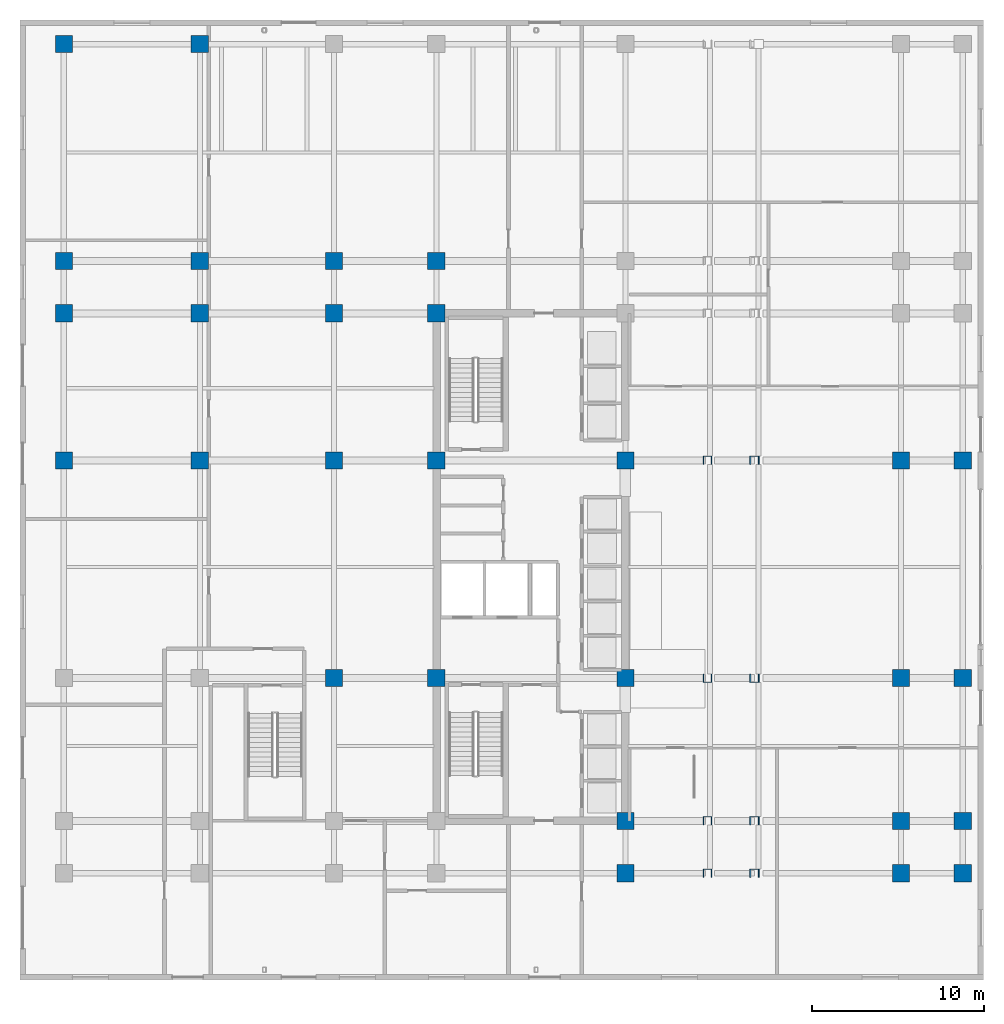
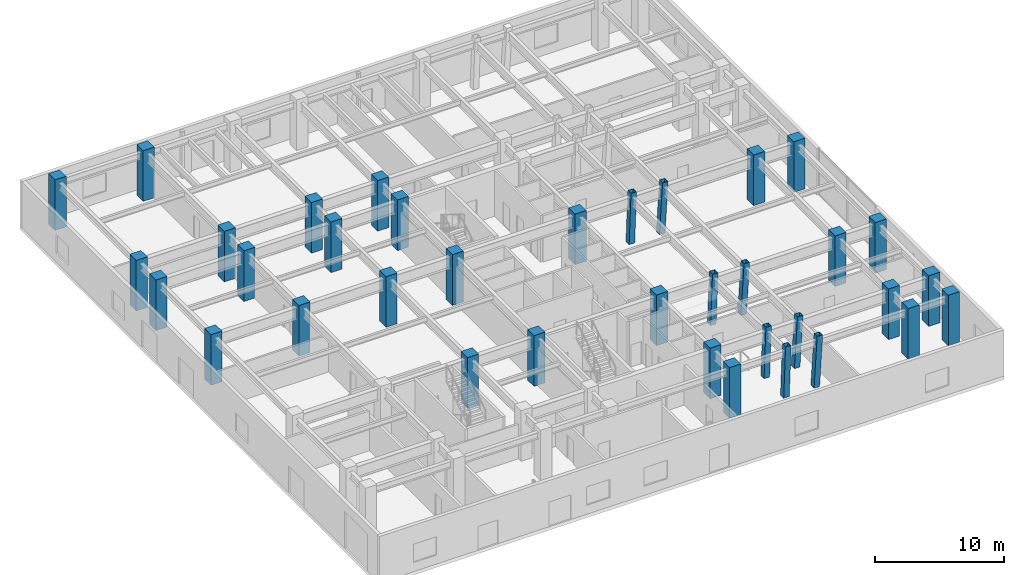
# One storey, part 2 of 13: 36 columns.
"""IFC4 building model written with IfcOpenShell, lengths in metres."""

import ifcopenshell
import ifcopenshell.guid

model = None  # the IFC model being written
_history = None  # IfcOwnerHistory: only IFC2X3 demands one
_inside = {}  # id of a spatial element -> (the spatial element, [elements in it])
_under = {}  # id of a project, library or spatial element -> (it, [spatial elements below it])
_declared = {}  # id of a project -> (the project, [libraries it declares])
_typed = {}  # id of a type object -> (the type object, [elements of that type])
_made_of = {}  # id of a material, layer set ... -> (it, [elements and type objects made of it])


def new_model(schema):
    """Start an empty IFC model of exactly this schema.

    Asked for "IFC4X3", IfcOpenShell would pick the latest addendum, in which some entities
    have other attributes; the version numbers below select the first issue.
    IFC2X3 requires an IfcOwnerHistory on every rooted entity: one is made here for all.
    """
    global model, _history
    if schema == "IFC4X3":
        model = ifcopenshell.file(schema_version=(4, 3, 0, 0))
    else:
        model = ifcopenshell.file(schema=schema)
    _inside.clear()
    _under.clear()
    _declared.clear()
    _typed.clear()
    _made_of.clear()
    _history = None
    if model.schema == "IFC2X3":
        org = make("IfcOrganization", Name="unknown")
        user = make(
            "IfcPersonAndOrganization",
            ThePerson=make("IfcPerson", FamilyName="unknown"),
            TheOrganization=org,
        )
        app = make(
            "IfcApplication",
            ApplicationDeveloper=org,
            Version="unknown",
            ApplicationFullName="unknown",
            ApplicationIdentifier="unknown",
        )
        _history = make(
            "IfcOwnerHistory",
            OwningUser=user,
            OwningApplication=app,
            ChangeAction="ADDED",
            CreationDate=0,
        )
    return model


def make(cls, **values):
    """One entity of the class cls with the attributes given. An attribute that is None is left unset."""
    return model.create_entity(
        cls, **{name: value for name, value in values.items() if value is not None}
    )


def rooted(cls, **values):
    """An entity with a GlobalId (a new one), such as an element, a storey or a relation."""
    return make(cls, GlobalId=ifcopenshell.guid.new(), OwnerHistory=_history, **values)


def si_unit(unit_type, name, prefix=None):
    """IfcSIUnit, for example si_unit("LENGTHUNIT", "METRE", prefix="MILLI")."""
    return make("IfcSIUnit", UnitType=unit_type, Prefix=prefix, Name=name)


def assignment(units):
    """IfcUnitAssignment: the units of a project."""
    return None if units is None else make("IfcUnitAssignment", Units=units)


def point(xyz):
    """IfcCartesianPoint."""
    return None if xyz is None else make("IfcCartesianPoint", Coordinates=xyz)


def direction(xyz):
    """IfcDirection."""
    return None if xyz is None else make("IfcDirection", DirectionRatios=xyz)


def frame(location, z_axis=None, x_axis=None):
    """IfcAxis2Placement3D, a coordinate frame: its origin and axes. An axis left out is left unset."""
    return make(
        "IfcAxis2Placement3D",
        Location=point(location),
        Axis=direction(z_axis),
        RefDirection=direction(x_axis),
    )


def frame_2d(location, x_axis=None):
    """IfcAxis2Placement2D, a coordinate frame in the plane: its origin and x axis."""
    return make(
        "IfcAxis2Placement2D", Location=point(location), RefDirection=direction(x_axis)
    )


def origin():
    """The frame at (0, 0, 0) with its axes left unset."""
    return frame((0.0, 0.0, 0.0))


def origin_2d():
    """The frame at (0, 0) in the plane with its x axis left unset."""
    return frame_2d((0.0, 0.0))


def place(relative_to, where):
    """IfcLocalPlacement: puts the frame where relative to a parent placement (None: the world)."""
    return make(
        "IfcLocalPlacement", PlacementRelTo=relative_to, RelativePlacement=where
    )


def context(
    kind, dimensions, precision=None, world=None, true_north=None, identifier=None
):
    """IfcGeometricRepresentationContext, for example the 3D "Model" context."""
    return make(
        "IfcGeometricRepresentationContext",
        ContextIdentifier=identifier,
        ContextType=kind,
        CoordinateSpaceDimension=dimensions,
        Precision=precision,
        WorldCoordinateSystem=world,
        TrueNorth=true_north,
    )


def subcontext(parent, identifier, kind, view, scale=None):
    """IfcGeometricRepresentationSubContext, for example "Body" below "Model"."""
    return make(
        "IfcGeometricRepresentationSubContext",
        ContextIdentifier=identifier,
        ContextType=kind,
        ParentContext=parent,
        TargetScale=scale,
        TargetView=view,
    )


def project(units=None, contexts=None):
    """IfcProject with its units and contexts."""
    return rooted(
        "IfcProject",
        Name="project",
        RepresentationContexts=contexts,
        UnitsInContext=assignment(units),
    )


def spatial(cls, under=None, at=None, **own):
    """A site, building, storey or space (cls), placed at a placement, below another one or the project."""
    s = rooted(cls, ObjectPlacement=at, **own)
    if under is not None:
        _under.setdefault(under.id(), (under, []))[1].append(s)
    return s


def profile(cls, at=None, kind="AREA", **sizes):
    """A parametric profile (cls). Its sizes go by their IFC names, for example OverallWidth=200.0."""
    return make(cls, ProfileType=kind, Position=at, **sizes)


def rectangle(**sizes):
    """IfcRectangleProfileDef."""
    return profile("IfcRectangleProfileDef", **sizes)


def hollow_rectangle(**sizes):
    """IfcRectangleHollowProfileDef."""
    return profile("IfcRectangleHollowProfileDef", **sizes)


def extrude(swept, where, along, depth):
    """IfcExtrudedAreaSolid: the profile swept, set in the frame where, extruded along a direction by depth."""
    return make(
        "IfcExtrudedAreaSolid",
        SweptArea=swept,
        Position=where,
        ExtrudedDirection=direction(along),
        Depth=depth,
    )


def shape(context_of_items, identifier, shape_type, items):
    """IfcShapeRepresentation: the items that make up one representation, for example the "Body"."""
    return make(
        "IfcShapeRepresentation",
        ContextOfItems=context_of_items,
        RepresentationIdentifier=identifier,
        RepresentationType=shape_type,
        Items=items,
    )


def material(Name=None, Category=None):
    """IfcMaterial."""
    return make("IfcMaterial", Name=Name, Category=Category)


def material_profile(
    of_material, cross_section, Name=None, Category=None, Priority=None
):
    """IfcMaterialProfile: a cross section and its material."""
    return make(
        "IfcMaterialProfile",
        Name=Name,
        Material=of_material,
        Profile=cross_section,
        Priority=Priority,
        Category=Category,
    )


def profile_set(profiles, Name=None, composite=None):
    """IfcMaterialProfileSet."""
    return make(
        "IfcMaterialProfileSet",
        Name=Name,
        MaterialProfiles=profiles,
        CompositeProfile=composite,
    )


def made_of(thing, what):
    """Note that an element or type object is made of a material, layer set ...; save() writes the relation."""
    if what is not None:
        _made_of.setdefault(what.id(), (what, []))[1].append(thing)
    return thing


def type_object(cls, material=None, **own):
    """A type object (cls), such as IfcWallType, which elements share."""
    return made_of(rooted(cls, **own), material)


def element(
    cls,
    number,
    at=None,
    inside=None,
    cuts=None,
    type_object=None,
    material=None,
    context=None,
    identifier="Body",
    shape_type=None,
    held_by="IfcProductDefinitionShape",
    body=None,
    shapes=None,
    **own,
):
    """One element of the class cls, such as IfcWall. Its Tag is "e" and its number.

    at: its placement. inside: the storey or other place that contains it. cuts: it is an
    opening in that element (IfcRelVoidsElement). A single representation is given by context,
    identifier, shape_type and body (its items); several are given by shapes. held_by: the class
    of the entity that holds the representations. save() writes the other relations.
    """
    e = rooted(cls, Tag="e%d" % number, ObjectPlacement=at, **own)
    if body is not None:
        shapes = [shape(context, identifier, shape_type, body)]
    if shapes is not None:
        e.Representation = make(held_by, Representations=shapes)
    if inside is not None:
        _inside.setdefault(inside.id(), (inside, []))[1].append(e)
    if cuts is not None:
        rooted(
            "IfcRelVoidsElement", RelatingBuildingElement=cuts, RelatedOpeningElement=e
        )
    if type_object is not None:
        _typed.setdefault(type_object.id(), (type_object, []))[1].append(e)
    return made_of(e, material)


def aggregate(whole, parts):
    """IfcRelAggregates: a whole, such as a stair, and the parts it consists of."""
    return rooted("IfcRelAggregates", RelatingObject=whole, RelatedObjects=parts)


def save(model, path):
    """Write the relations noted so far, then the file.

    IfcRelAggregates (storeys below a building ...), IfcRelContainedInSpatialStructure (elements
    in a storey), IfcRelDefinesByType, IfcRelAssociatesMaterial and IfcRelDeclares: one each for
    every whole, place, type object, material and project.
    """
    for whole, parts in _under.values():
        aggregate(whole, parts)
    for where, things in _inside.values():
        rooted(
            "IfcRelContainedInSpatialStructure",
            RelatedElements=things,
            RelatingStructure=where,
        )
    for kind, things in _typed.values():
        rooted("IfcRelDefinesByType", RelatedObjects=things, RelatingType=kind)
    for what, things in _made_of.values():
        rooted("IfcRelAssociatesMaterial", RelatedObjects=things, RelatingMaterial=what)
    for by, libraries in _declared.values():
        rooted("IfcRelDeclares", RelatingContext=by, RelatedDefinitions=libraries)
    model.write(path)


model = new_model("IFC4")

# Units and contexts
model_context = context("Model", 3, precision=1e-05, world=origin(), true_north=direction((0.0, 1.0)))
body_context = subcontext(model_context, "Body", "Model", "MODEL_VIEW")
ifc_project = project(units=[si_unit("LENGTHUNIT", "METRE"), si_unit("AREAUNIT", "SQUARE_METRE"), si_unit("VOLUMEUNIT", "CUBIC_METRE"), si_unit("PLANEANGLEUNIT", "RADIAN"), si_unit("MASSUNIT", "GRAM", prefix="KILO")], contexts=[model_context])

# Site, building, storey
site_placement = place(None, origin())
site = spatial("IfcSite", under=ifc_project, at=site_placement, CompositionType="ELEMENT")
building_placement = place(site_placement, origin())
building = spatial("IfcBuilding", under=site, at=building_placement, Name="Ochreholt Gables", CompositionType="ELEMENT")
storey_placement = place(building_placement, origin())
storey = spatial("IfcBuildingStorey", under=building, at=storey_placement, Name="L00", CompositionType="ELEMENT", Elevation=0.0)

# Columns
ifc_material_1 = material(Name="Steel CSA G40.21 350W", Category="steel")
ifc_material_profile_1 = material_profile(ifc_material_1, hollow_rectangle(XDim=0.5, YDim=0.5, WallThickness=0.02197265625, at=origin_2d()), Name="HSS500X500X22")
ifc_profile_set_1 = profile_set([ifc_material_profile_1], Name="Steel CSA G40.21 350W")
column_type_1 = type_object("IfcColumnType", Name="COL-HSS500-RAK", PredefinedType="COLUMN", material=ifc_profile_set_1)
for number, where, z_axis, x_axis, name in (
    (1, (39.93603515625, 9.25, 0.0), (0.034971728386, 0.0, 0.99938830202), (0.0, 1.0, 0.0), "L00 Column EMY2"),
    (2, (39.93603515625, 17.550048828125, 0.0), (0.034971728386, 0.0, 0.99938830202), (0.0, 1.0, 0.0), "L00 Column EMY3"),
    (3, (39.93603515625, 30.199951171875, 0.0), (0.034971728386, 0.0, 0.99938830202), (0.0, 1.0, 0.0), "L00 Column EMY4"),
):
    element("IfcColumn", number, at=place(storey_placement, frame(where, z_axis=z_axis, x_axis=x_axis)), inside=storey, type_object=column_type_1, Name=name, PredefinedType="COLUMN", context=body_context, shape_type="SweptSolid", body=[
        extrude(hollow_rectangle(XDim=0.5, YDim=0.5, WallThickness=0.02197265625, at=origin_2d()), origin(), (0.0, 0.0, 1.0), 4.802978515625),
    ])
for number, where, z_axis, x_axis, name in (
    (4, (42.65673828125, 9.25, 0.0), (0.057936190876, 0.0, 0.998320288177), (0.0, 1.0, 0.0), "L00 Column EEY2"),
    (5, (42.65673828125, 17.550048828125, 0.0), (0.057936190876, 0.0, 0.998320288177), (0.0, 1.0, 0.0), "L00 Column EEY3"),
    (6, (42.65673828125, 30.199951171875, 0.0), (0.057936190876, 0.0, 0.998320288177), (0.0, 1.0, 0.0), "L00 Column EEY4"),
):
    element("IfcColumn", number, at=place(storey_placement, frame(where, z_axis=z_axis, x_axis=x_axis)), inside=storey, type_object=column_type_1, Name=name, PredefinedType="COLUMN", context=body_context, shape_type="SweptSolid", body=[
        extrude(hollow_rectangle(XDim=0.5, YDim=0.5, WallThickness=0.02197265625, at=origin_2d()), origin(), (0.0, 0.0, 1.0), 4.80810546875),
    ])
ifc_material_profile_2 = material_profile(ifc_material_1, hollow_rectangle(XDim=0.5, YDim=0.5, WallThickness=0.02197265625, at=origin_2d()), Name="HSS500X500X22")
ifc_profile_set_2 = profile_set([ifc_material_profile_2], Name="Steel CSA G40.21 350W")
column_type_2 = type_object("IfcColumnType", Name="COL-HSS500-RAKE", PredefinedType="COLUMN", material=ifc_profile_set_2)
column_1_placement = place(storey_placement, frame((39.93603515625, 6.199951171875, 0.0), z_axis=(0.034971728386, 0.0, 0.99938830202), x_axis=(0.0, 1.0, 0.0)))
element("IfcColumn", 7, at=column_1_placement, inside=storey, type_object=column_type_2, Name="L00 Column EMY1", PredefinedType="COLUMN", context=body_context, shape_type="SweptSolid", body=[
    extrude(hollow_rectangle(XDim=0.5, YDim=0.5, WallThickness=0.02197265625, at=origin_2d()), origin(), (0.0, 0.0, 1.0), 4.802978515625),
])
column_2_placement = place(storey_placement, frame((42.65673828125, 6.199951171875, 0.0), z_axis=(0.057936190876, 0.0, 0.998320288177), x_axis=(0.0, 1.0, 0.0)))
element("IfcColumn", 8, at=column_2_placement, inside=storey, type_object=column_type_2, Name="L00 Column EEY1", PredefinedType="COLUMN", context=body_context, shape_type="SweptSolid", body=[
    extrude(hollow_rectangle(XDim=0.5, YDim=0.5, WallThickness=0.02197265625, at=origin_2d()), origin(), (0.0, 0.0, 1.0), 4.80810546875),
])
ifc_material_2 = material(Name="Concrete 60 MPa", Category="concrete")
ifc_material_profile_3 = material_profile(ifc_material_2, rectangle(XDim=1.0, YDim=1.0, at=origin_2d()), Name="RC1000X1000")
ifc_profile_set_3 = profile_set([ifc_material_profile_3], Name="Concrete 60 MPa")
column_type_3 = type_object("IfcColumnType", Name="COL-RC1000-EXT", PredefinedType="COLUMN", material=ifc_profile_set_3)
for number, where, z_axis, x_axis, name in (
    (9, (2.550048828125, 30.199951171875, 0.0), (0.0, 0.0, 1.0), (1.0, 0.0, 0.0), "L00 Column W1Y4"),
    (10, (2.550048828125, 38.75, 0.0), (0.0, 0.0, 1.0), (1.0, 0.0, 0.0), "L00 Column W1Y5"),
    (11, (2.550048828125, 41.800048828125, 0.0), (0.0, 0.0, 1.0), (1.0, 0.0, 0.0), "L00 Column W1Y6"),
    (12, (2.550048828125, 54.39990234375, 0.0), (0.0, 0.0, 1.0), (1.0, 0.0, 0.0), "L00 Column W1Y7"),
    (13, (10.449951171875, 54.39990234375, 0.0), (0.0, 0.0, 1.0), (1.0, 0.0, 0.0), "L00 Column W2Y7"),
    (14, (35.199951171875, 6.199951171875, 0.0), (0.0, 0.0, 1.0), (1.0, 0.0, 0.0), "L00 Column C2Y1"),
    (15, (51.199951171875, 6.199951171875, 0.0), (0.0, 0.0, 1.0), (1.0, 0.0, 0.0), "L00 Column E3Y1"),
    (16, (54.800048828125, 6.199951171875, 0.0), (0.0, 0.0, 1.0), (1.0, 0.0, 0.0), "L00 Column E4Y1"),
    (17, (54.800048828125, 9.25, 0.0), (0.0, 0.0, 1.0), (1.0, 0.0, 0.0), "L00 Column E4Y2"),
    (18, (54.800048828125, 17.550048828125, 0.0), (0.0, 0.0, 1.0), (1.0, 0.0, 0.0), "L00 Column E4Y3"),
    (19, (54.800048828125, 30.199951171875, 0.0), (0.0, 0.0, 1.0), (1.0, 0.0, 0.0), "L00 Column E4Y4"),
):
    element("IfcColumn", number, at=place(storey_placement, frame(where, z_axis=z_axis, x_axis=x_axis)), inside=storey, type_object=column_type_3, Name=name, PredefinedType="COLUMN", context=body_context, shape_type="SweptSolid", body=[
        extrude(rectangle(XDim=1.0, YDim=1.0, at=origin_2d()), origin(), (0.0, 0.0, 1.0), 4.800048828125),
    ])
ifc_material_profile_4 = material_profile(ifc_material_2, rectangle(XDim=1.0, YDim=1.0, at=origin_2d()), Name="RC1000X1000")
ifc_profile_set_4 = profile_set([ifc_material_profile_4], Name="Concrete 60 MPa")
column_type_4 = type_object("IfcColumnType", Name="COL-RC1000-INT", PredefinedType="COLUMN", material=ifc_profile_set_4)
for number, where, z_axis, x_axis, name in (
    (20, (10.449951171875, 30.199951171875, 0.0), (0.0, 0.0, 1.0), (1.0, 0.0, 0.0), "L00 Column W2Y4"),
    (21, (10.449951171875, 38.75, 0.0), (0.0, 0.0, 1.0), (1.0, 0.0, 0.0), "L00 Column W2Y5"),
    (22, (10.449951171875, 41.800048828125, 0.0), (0.0, 0.0, 1.0), (1.0, 0.0, 0.0), "L00 Column W2Y6"),
    (23, (18.25, 17.550048828125, 0.0), (0.0, 0.0, 1.0), (1.0, 0.0, 0.0), "L00 Column W3Y3"),
    (24, (18.25, 30.199951171875, 0.0), (0.0, 0.0, 1.0), (1.0, 0.0, 0.0), "L00 Column W3Y4"),
    (25, (18.25, 38.75, 0.0), (0.0, 0.0, 1.0), (1.0, 0.0, 0.0), "L00 Column W3Y5"),
    (26, (18.25, 41.800048828125, 0.0), (0.0, 0.0, 1.0), (1.0, 0.0, 0.0), "L00 Column W3Y6"),
    (27, (24.199951171875, 17.550048828125, 0.0), (0.0, 0.0, 1.0), (1.0, 0.0, 0.0), "L00 Column C1Y3"),
    (28, (24.199951171875, 30.199951171875, 0.0), (0.0, 0.0, 1.0), (1.0, 0.0, 0.0), "L00 Column C1Y4"),
    (29, (24.199951171875, 38.75, 0.0), (0.0, 0.0, 1.0), (1.0, 0.0, 0.0), "L00 Column C1Y5"),
    (30, (24.199951171875, 41.800048828125, 0.0), (0.0, 0.0, 1.0), (1.0, 0.0, 0.0), "L00 Column C1Y6"),
    (31, (35.199951171875, 9.25, 0.0), (0.0, 0.0, 1.0), (1.0, 0.0, 0.0), "L00 Column C2Y2"),
    (32, (35.199951171875, 17.550048828125, 0.0), (0.0, 0.0, 1.0), (1.0, 0.0, 0.0), "L00 Column C2Y3"),
    (33, (35.199951171875, 30.199951171875, 0.0), (0.0, 0.0, 1.0), (1.0, 0.0, 0.0), "L00 Column C2Y4"),
    (34, (51.199951171875, 9.25, 0.0), (0.0, 0.0, 1.0), (1.0, 0.0, 0.0), "L00 Column E3Y2"),
    (35, (51.199951171875, 17.550048828125, 0.0), (0.0, 0.0, 1.0), (1.0, 0.0, 0.0), "L00 Column E3Y3"),
    (36, (51.199951171875, 30.199951171875, 0.0), (0.0, 0.0, 1.0), (1.0, 0.0, 0.0), "L00 Column E3Y4"),
):
    element("IfcColumn", number, at=place(storey_placement, frame(where, z_axis=z_axis, x_axis=x_axis)), inside=storey, type_object=column_type_4, Name=name, PredefinedType="COLUMN", context=body_context, shape_type="SweptSolid", body=[
        extrude(rectangle(XDim=1.0, YDim=1.0, at=origin_2d()), origin(), (0.0, 0.0, 1.0), 4.800048828125),
    ])

save(model, "model.ifc")
